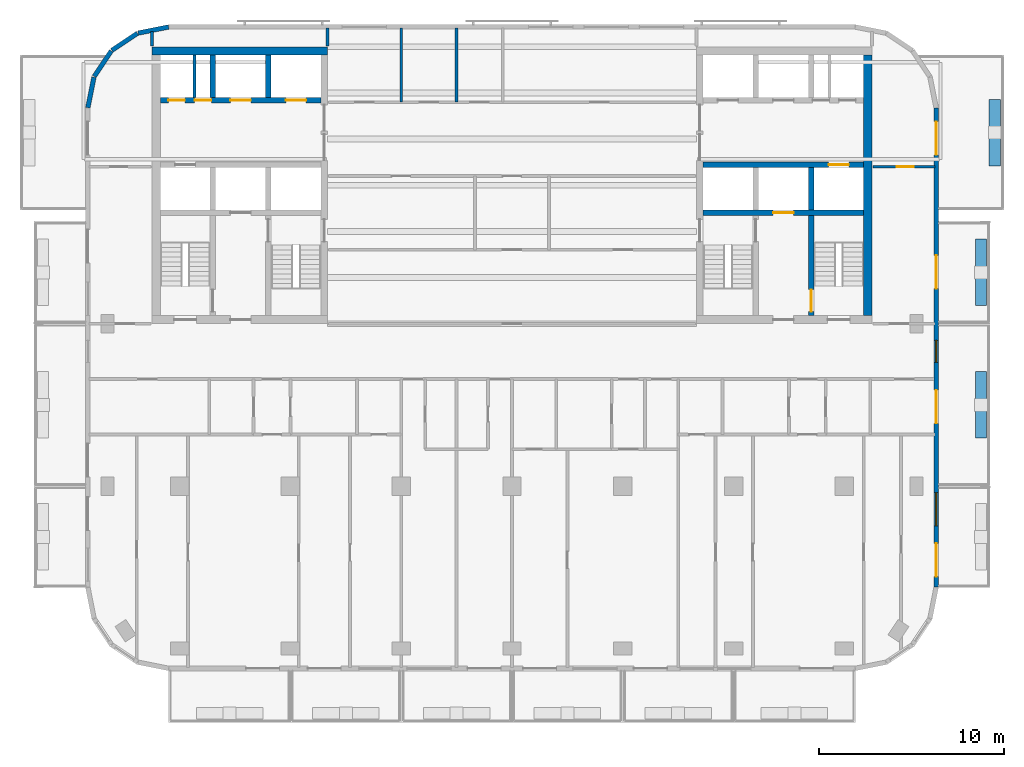
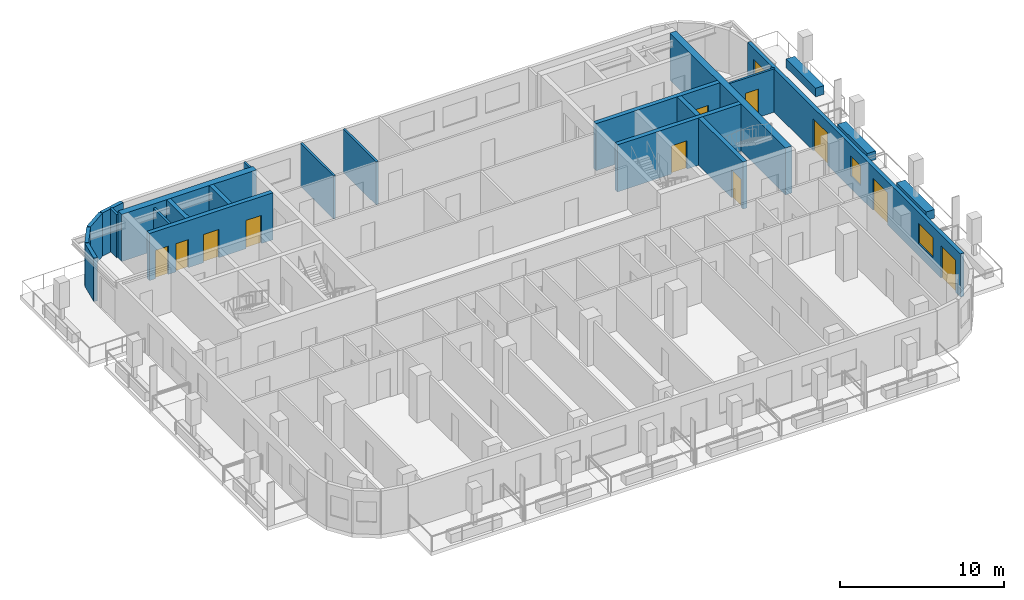
# One storey, part 6 of 11: 23 walls, 12 doors, 2 windows, 14 openings.
"""IFC4 building model written with IfcOpenShell, lengths in metres."""

from ifc_helpers import new_model, si_unit, direction, frame, frame_2d, origin, place, context, subcontext, project, spatial, rectangle, extrude, material, layer, layer_set, type_object, element, fill, save


model = new_model("IFC4")

# Units and contexts
model_context = context("Model", 3, precision=1e-05, world=origin(), true_north=direction((0.0, 1.0)))
body_context = subcontext(model_context, "Body", "Model", "MODEL_VIEW")
ifc_project = project(units=[si_unit("LENGTHUNIT", "METRE"), si_unit("AREAUNIT", "SQUARE_METRE"), si_unit("VOLUMEUNIT", "CUBIC_METRE"), si_unit("PLANEANGLEUNIT", "RADIAN"), si_unit("MASSUNIT", "GRAM", prefix="KILO")], contexts=[model_context])

# Site, building, storey
site_placement = place(None, origin())
site = spatial("IfcSite", under=ifc_project, at=site_placement, CompositionType="ELEMENT")
building_placement = place(site_placement, origin())
building = spatial("IfcBuilding", under=site, at=building_placement, Name="Torana Hotel and Residences", CompositionType="ELEMENT")
storey_placement = place(building_placement, frame((0.0, 0.0, 298.10009765625)))
storey = spatial("IfcBuildingStorey", under=building, at=storey_placement, Name="L79", CompositionType="ELEMENT", Elevation=298.10009765625)

# Wall, openings, doors
ifc_material_1 = material(Name="Concrete C60/75", Category="concrete")
ifc_layer_1 = layer(ifc_material_1, 0.300048828125)
ifc_layer_set_1 = layer_set([ifc_layer_1], Name="CORE WALL 300 C60/75")
wall_type_1 = type_object("IfcWallType", Name="CORE WALL 300 C60/75", PredefinedType="SHEAR", material=ifc_layer_set_1)
wall_1_placement = place(storey_placement, frame((-19.050048828125, -2.89990234375, 0.0), z_axis=(0.0, 0.0, 1.0), x_axis=(1.0, 0.0, 0.0)))
wall_1 = element("IfcWall", 1, at=wall_1_placement, inside=storey, type_object=wall_type_1, Name="Core wall W row-N", PredefinedType="SHEAR", context=body_context, shape_type="SweptSolid", body=[
    extrude(rectangle(XDim=8.699951171875, YDim=0.300048828125, at=frame_2d((4.35009765625, 0.0))), origin(), (0.0, 0.0, 1.0), 3.5),
])
opening_1_placement = place(wall_1_placement, frame((6.800048828125, 0.0, 0.0)))
opening_1 = element("IfcOpeningElement", 2, at=opening_1_placement, cuts=wall_1, Name="Opening LD", PredefinedType="OPENING", context=body_context, shape_type="SweptSolid", body=[
    extrude(rectangle(XDim=1.10009765625, YDim=2.10009765625, at=frame_2d((0.550048828125, 1.050048828125))), frame((0.0, 0.159912109375, 0.0), z_axis=(0.0, -1.0, 0.0), x_axis=(1.0, 0.0, 0.0)), (0.0, 0.0, 1.0), 0.320068359375),
])
opening_2_placement = place(wall_1_placement, frame((3.800048828125, 0.0, 0.0)))
opening_2 = element("IfcOpeningElement", 3, at=opening_2_placement, cuts=wall_1, Name="Opening LD", PredefinedType="OPENING", context=body_context, shape_type="SweptSolid", body=[
    extrude(rectangle(XDim=1.10009765625, YDim=2.10009765625, at=frame_2d((0.550048828125, 1.050048828125))), frame((0.0, 0.159912109375, 0.0), z_axis=(0.0, -1.0, 0.0), x_axis=(1.0, 0.0, 0.0)), (0.0, 0.0, 1.0), 0.320068359375),
])
opening_3_placement = place(wall_1_placement, frame((1.862548828125, 0.0, 0.0)))
opening_3 = element("IfcOpeningElement", 4, at=opening_3_placement, cuts=wall_1, Name="Opening L79-06", PredefinedType="OPENING", context=body_context, shape_type="SweptSolid", body=[
    extrude(rectangle(XDim=0.89990234375, YDim=2.10009765625, at=frame_2d((0.449951171875, 1.050048828125))), frame((0.0, 0.159912109375, 0.0), z_axis=(0.0, -1.0, 0.0), x_axis=(1.0, 0.0, 0.0)), (0.0, 0.0, 1.0), 0.320068359375),
])
opening_4_placement = place(wall_1_placement, frame((0.4375, 0.0, 0.0)))
opening_4 = element("IfcOpeningElement", 5, at=opening_4_placement, cuts=wall_1, Name="Opening L79-07", PredefinedType="OPENING", context=body_context, shape_type="SweptSolid", body=[
    extrude(rectangle(XDim=0.89990234375, YDim=2.10009765625, at=frame_2d((0.449951171875, 1.050048828125))), frame((0.0, 0.159912109375, 0.0), z_axis=(0.0, -1.0, 0.0), x_axis=(1.0, 0.0, 0.0)), (0.0, 0.0, 1.0), 0.320068359375),
])
ifc_material_2 = material(Name="Stainless steel 316", Category="steel")
door_type_1 = type_object("IfcDoorType", Name="LIFT LANDING DOOR LD 1100x2100", OperationType="DOUBLE_DOOR_SLIDING", PredefinedType="USERDEFINED", material=ifc_material_2)
door_1_placement = place(opening_1_placement, origin())
door_1 = element("IfcDoor", 6, at=door_1_placement, inside=storey, type_object=door_type_1, Name="Lift landing door H1 L79", ObjectType="LIFT LANDING DOOR", OperationType="DOUBLE_DOOR_SLIDING", OverallHeight=2.10009765625, OverallWidth=1.10009765625, PredefinedType="USERDEFINED", context=body_context, shape_type="SweptSolid", body=[
    extrude(rectangle(XDim=1.10009765625, YDim=2.10009765625, at=frame_2d((0.550048828125, 1.050048828125))), frame((0.0, 0.02490234375, 0.0), z_axis=(0.0, -1.0, 0.0), x_axis=(1.0, 0.0, 0.0)), (0.0, 0.0, 1.0), 0.050048828125),
])
fill(opening_1, door_1)
door_2_placement = place(opening_2_placement, origin())
door_2 = element("IfcDoor", 7, at=door_2_placement, inside=storey, type_object=door_type_1, Name="Lift landing door H2 L79", ObjectType="LIFT LANDING DOOR", OperationType="DOUBLE_DOOR_SLIDING", OverallHeight=2.10009765625, OverallWidth=1.10009765625, PredefinedType="USERDEFINED", context=body_context, shape_type="SweptSolid", body=[
    extrude(rectangle(XDim=1.10009765625, YDim=2.10009765625, at=frame_2d((0.550048828125, 1.050048828125))), frame((0.0, 0.02490234375, 0.0), z_axis=(0.0, -1.0, 0.0), x_axis=(1.0, 0.0, 0.0)), (0.0, 0.0, 1.0), 0.050048828125),
])
fill(opening_2, door_2)
ifc_material_3 = material(Name="Steel S235", Category="steel")
door_type_2 = type_object("IfcDoorType", Name="RISER ACCESS DOOR D5 900x2100", OperationType="SINGLE_SWING_LEFT", PredefinedType="DOOR", material=ifc_material_3)
door_3_placement = place(opening_3_placement, origin())
door_3 = element("IfcDoor", 8, at=door_3_placement, inside=storey, type_object=door_type_2, Name="N2A door L79", OperationType="SINGLE_SWING_LEFT", OverallHeight=2.10009765625, OverallWidth=0.89990234375, PredefinedType="DOOR", context=body_context, shape_type="SweptSolid", body=[
    extrude(rectangle(XDim=0.89990234375, YDim=2.10009765625, at=frame_2d((0.449951171875, 1.050048828125))), frame((0.0, 0.02490234375, 0.0), z_axis=(0.0, -1.0, 0.0), x_axis=(1.0, 0.0, 0.0)), (0.0, 0.0, 1.0), 0.050048828125),
])
fill(opening_3, door_3)
door_4_placement = place(opening_4_placement, origin())
door_4 = element("IfcDoor", 9, at=door_4_placement, inside=storey, type_object=door_type_2, Name="N2B door L79", OperationType="SINGLE_SWING_RIGHT", OverallHeight=2.10009765625, OverallWidth=0.89990234375, PredefinedType="DOOR", context=body_context, shape_type="SweptSolid", body=[
    extrude(rectangle(XDim=0.89990234375, YDim=2.10009765625, at=frame_2d((0.449951171875, 1.050048828125))), frame((0.0, 0.02490234375, 0.0), z_axis=(0.0, -1.0, 0.0), x_axis=(1.0, 0.0, 0.0)), (0.0, 0.0, 1.0), 0.050048828125),
])
fill(opening_4, door_4)

# Walls
for number, where, z_axis, x_axis, name in (
    (10, (-13.199951171875, -2.75, 0.0), (0.0, 0.0, 1.0), (0.0, 1.0, 0.0), "Core wall W x3.05-N"),
    (11, (-16.199951171875, -2.75, 0.0), (0.0, 0.0, 1.0), (0.0, 1.0, 0.0), "Core wall W x6.05-N"),
):
    element("IfcWall", number, at=place(storey_placement, frame(where, z_axis=z_axis, x_axis=x_axis)), inside=storey, type_object=wall_type_1, Name=name, PredefinedType="SHEAR", context=body_context, shape_type="SweptSolid", body=[
        extrude(rectangle(XDim=2.300048828125, YDim=0.300048828125, at=frame_2d((1.14990234375, 0.0))), origin(), (0.0, 0.0, 1.0), 3.5),
    ])

# Wall, opening, door
wall_2_placement = place(storey_placement, frame((10.35009765625, -6.39990234375, 0.0), z_axis=(0.0, 0.0, 1.0), x_axis=(1.0, 0.0, 0.0)))
wall_2 = element("IfcWall", 12, at=wall_2_placement, inside=storey, type_object=wall_type_1, Name="Core wall E row-S", PredefinedType="SHEAR", context=body_context, shape_type="SweptSolid", body=[
    extrude(rectangle(XDim=8.699951171875, YDim=0.300048828125, at=frame_2d((4.35009765625, 0.0))), origin(), (0.0, 0.0, 1.0), 3.5),
])
opening_5_placement = place(wall_2_placement, frame((6.800048828125, 0.0, 0.0)))
opening_5 = element("IfcOpeningElement", 13, at=opening_5_placement, cuts=wall_2, Name="Opening LD", PredefinedType="OPENING", context=body_context, shape_type="SweptSolid", body=[
    extrude(rectangle(XDim=1.10009765625, YDim=2.10009765625, at=frame_2d((0.550048828125, 1.050048828125))), frame((0.0, 0.159912109375, 0.0), z_axis=(0.0, -1.0, 0.0), x_axis=(1.0, 0.0, 0.0)), (0.0, 0.0, 1.0), 0.320068359375),
])
door_5_placement = place(opening_5_placement, origin())
door_5 = element("IfcDoor", 14, at=door_5_placement, inside=storey, type_object=door_type_1, Name="Lift landing door SV2 L79", ObjectType="LIFT LANDING DOOR", OperationType="DOUBLE_DOOR_SLIDING", OverallHeight=2.10009765625, OverallWidth=1.10009765625, PredefinedType="USERDEFINED", context=body_context, shape_type="SweptSolid", body=[
    extrude(rectangle(XDim=1.10009765625, YDim=2.10009765625, at=frame_2d((0.550048828125, 1.050048828125))), frame((0.0, 0.02490234375, 0.0), z_axis=(0.0, -1.0, 0.0), x_axis=(1.0, 0.0, 0.0)), (0.0, 0.0, 1.0), 0.050048828125),
])
fill(opening_5, door_5)

wall_3_placement = place(storey_placement, frame((10.35009765625, -9.0, 0.0), z_axis=(0.0, 0.0, 1.0), x_axis=(1.0, 0.0, 0.0)))
wall_3 = element("IfcWall", 15, at=wall_3_placement, inside=storey, type_object=wall_type_1, Name="Core wall E band", PredefinedType="SHEAR", context=body_context, shape_type="SweptSolid", body=[
    extrude(rectangle(XDim=8.699951171875, YDim=0.300048828125, at=frame_2d((4.35009765625, 0.0))), origin(), (0.0, 0.0, 1.0), 3.5),
])
opening_6_placement = place(wall_3_placement, frame((3.800048828125, 0.0, 0.0)))
opening_6 = element("IfcOpeningElement", 16, at=opening_6_placement, cuts=wall_3, Name="Opening LD", PredefinedType="OPENING", context=body_context, shape_type="SweptSolid", body=[
    extrude(rectangle(XDim=1.10009765625, YDim=2.10009765625, at=frame_2d((0.550048828125, 1.050048828125))), frame((0.0, 0.159912109375, 0.0), z_axis=(0.0, -1.0, 0.0), x_axis=(1.0, 0.0, 0.0)), (0.0, 0.0, 1.0), 0.320068359375),
])
door_6_placement = place(opening_6_placement, origin())
door_6 = element("IfcDoor", 17, at=door_6_placement, inside=storey, type_object=door_type_1, Name="Lift landing door FF2 L79", ObjectType="LIFT LANDING DOOR", OperationType="DOUBLE_DOOR_SLIDING", OverallHeight=2.10009765625, OverallWidth=1.10009765625, PredefinedType="USERDEFINED", context=body_context, shape_type="SweptSolid", body=[
    extrude(rectangle(XDim=1.10009765625, YDim=2.10009765625, at=frame_2d((0.550048828125, 1.050048828125))), frame((0.0, 0.02490234375, 0.0), z_axis=(0.0, -1.0, 0.0), x_axis=(1.0, 0.0, 0.0)), (0.0, 0.0, 1.0), 0.050048828125),
])
fill(opening_6, door_6)

# Wall
wall_4_placement = place(storey_placement, frame((16.199951171875, -8.85009765625, 0.0), z_axis=(0.0, 0.0, 1.0), x_axis=(0.0, 1.0, 0.0)))
element("IfcWall", 18, at=wall_4_placement, inside=storey, type_object=wall_type_1, Name="Core wall E x6.05-S", PredefinedType="SHEAR", context=body_context, shape_type="SweptSolid", body=[
    extrude(rectangle(XDim=2.300048828125, YDim=0.300048828125, at=frame_2d((1.14990234375, 0.0))), origin(), (0.0, 0.0, 1.0), 3.5),
])

# Wall, opening, door
wall_5_placement = place(storey_placement, frame((16.199951171875, -14.550048828125, 0.0), z_axis=(0.0, 0.0, 1.0), x_axis=(0.0, 1.0, 0.0)))
wall_5 = element("IfcWall", 19, at=wall_5_placement, inside=storey, type_object=wall_type_1, Name="Core wall E x6.05-band", PredefinedType="SHEAR", context=body_context, shape_type="SweptSolid", body=[
    extrude(rectangle(XDim=5.400146484375, YDim=0.300048828125, at=frame_2d((2.7001953125, 0.0))), origin(), (0.0, 0.0, 1.0), 3.5),
])
opening_7_placement = place(wall_5_placement, frame((0.199951171875, 0.0, 0.0)))
opening_7 = element("IfcOpeningElement", 20, at=opening_7_placement, cuts=wall_5, Name="Opening L79-18", PredefinedType="OPENING", context=body_context, shape_type="SweptSolid", body=[
    extrude(rectangle(XDim=1.199951171875, YDim=2.10009765625, at=frame_2d((0.60009765625, 1.050048828125))), frame((0.0, 0.159912109375, 0.0), z_axis=(0.0, -1.0, 0.0), x_axis=(1.0, 0.0, 0.0)), (0.0, 0.0, 1.0), 0.320068359375),
])
ifc_material_4 = material(Name="Steel S235", Category="steel")
door_type_3 = type_object("IfcDoorType", Name="STAIR FIRE DOOR D3 1200x2100", OperationType="SINGLE_SWING_LEFT", PredefinedType="DOOR", material=ifc_material_4)
door_7_placement = place(opening_7_placement, frame((0.60009765625, 0.0, 0.0), z_axis=(0.0, 0.0, 1.0), x_axis=(-1.0, 0.0, 0.0)))
door_7 = element("IfcDoor", 21, at=door_7_placement, inside=storey, type_object=door_type_3, Name="Stair-B-lobby door L79", OperationType="SINGLE_SWING_LEFT", OverallHeight=2.10009765625, OverallWidth=1.199951171875, PredefinedType="DOOR", context=body_context, shape_type="SweptSolid", body=[
    extrude(rectangle(XDim=1.199951171875, YDim=2.10009765625, at=frame_2d((0.0, 1.050048828125))), frame((0.0, -0.02490234375, 0.0), z_axis=(0.0, 1.0, 0.0), x_axis=(-1.0, 0.0, 0.0)), (0.0, 0.0, 1.0), 0.050048828125),
])
fill(opening_7, door_7)

# Walls
ifc_material_5 = material(Name="Concrete C60/75", Category="concrete")
ifc_layer_2 = layer(ifc_material_5, 0.449951171875)
ifc_layer_set_2 = layer_set([ifc_layer_2], Name="CORE WALL 450 C60/75")
wall_type_2 = type_object("IfcWallType", Name="CORE WALL 450 C60/75", PredefinedType="SHEAR", material=ifc_layer_set_2)
wall_6_placement = place(storey_placement, frame((-19.5, -0.22509765625, 0.0), z_axis=(0.0, 0.0, 1.0), x_axis=(1.0, 0.0, 0.0)))
element("IfcWall", 22, at=wall_6_placement, inside=storey, type_object=wall_type_2, Name="Core wall W rear", PredefinedType="SHEAR", context=body_context, shape_type="SweptSolid", body=[
    extrude(rectangle(XDim=9.5, YDim=0.449951171875, at=frame_2d((4.75, 0.0))), origin(), (0.0, 0.0, 1.0), 3.5),
])
wall_7_placement = place(storey_placement, frame((19.27490234375, -14.550048828125, 0.0), z_axis=(0.0, 0.0, 1.0), x_axis=(0.0, 1.0, 0.0)))
element("IfcWall", 23, at=wall_7_placement, inside=storey, type_object=wall_type_2, Name="Core wall E outer", PredefinedType="SHEAR", context=body_context, shape_type="SweptSolid", body=[
    extrude(rectangle(XDim=14.10009765625, YDim=0.449951171875, at=frame_2d((7.050048828125, 0.0))), origin(), (0.0, 0.0, 1.0), 3.5),
])
ifc_material_6 = material(Name="Black aluminium composite panel", Category="aluminium")
ifc_layer_3 = layer(ifc_material_6, 0.00390625, Name="Cladding", Category="cladding")
ifc_material_7 = material(Name="Ventilated air cavity")
ifc_layer_4 = layer(ifc_material_7, 0.0400390625, Name="Ventilated cavity", Category="cavity")
ifc_material_8 = material(Name="Mineral wool insulation")
ifc_layer_5 = layer(ifc_material_8, 0.090087890625, Name="Insulation", Category="insulation")
ifc_material_9 = material(Name="Steel S280GD", Category="steel")
ifc_layer_6 = layer(ifc_material_9, 0.092041015625, Name="Steel stud frame", Category="structure")
ifc_material_10 = material(Name="Fire rated plasterboard")
ifc_layer_7 = layer(ifc_material_10, 0.011962890625, Name="Inner board", Category="finish")
ifc_layer_8 = layer(ifc_material_10, 0.011962890625, Name="Second board", Category="finish")
ifc_layer_set_3 = layer_set([ifc_layer_3, ifc_layer_4, ifc_layer_5, ifc_layer_6, ifc_layer_7, ifc_layer_8], Name="EW1 EXTERNAL WALL BLACK METAL CLAD 250")
wall_type_3 = type_object("IfcWallType", Name="EW1 EXTERNAL WALL BLACK METAL CLAD 250", PredefinedType="SOLIDWALL", material=ifc_layer_set_3)
wall_8_placement = place(storey_placement, frame((-18.599853515625, 1.072509765625, 0.0), z_axis=(0.0, 0.0, 1.0), x_axis=(-0.980797896849, -0.195026884138, 0.0)))
element("IfcWall", 24, at=wall_8_placement, inside=storey, type_object=wall_type_3, Name="External wall L79 e0.5", PredefinedType="SOLIDWALL", context=body_context, shape_type="SweptSolid", body=[
    extrude(rectangle(XDim=1.68115234375, YDim=0.25, at=frame_2d((0.840576171875, 0.0))), origin(), (0.0, 0.0, 1.0), 3.219970703125),
])
for number, where, z_axis, x_axis, name in (
    (25, (-20.2939453125, 0.725830078125, 0.0), (0.0, 0.0, 1.0), (-0.831482937015, -0.55555029066, 0.0), "External wall L79 e0.6"),
    (26, (-21.705810546875, -0.228759765625, 0.0), (0.0, 0.0, 1.0), (-0.55555029066, -0.831482937015, 0.0), "External wall L79 e0.7"),
):
    element("IfcWall", number, at=place(storey_placement, frame(where, z_axis=z_axis, x_axis=x_axis)), inside=storey, type_object=wall_type_3, Name=name, PredefinedType="SOLIDWALL", context=body_context, shape_type="SweptSolid", body=[
        extrude(rectangle(XDim=1.65625, YDim=0.25, at=frame_2d((0.828125, 0.0))), origin(), (0.0, 0.0, 1.0), 3.219970703125),
    ])
wall_9_placement = place(storey_placement, frame((-22.64453125, -1.651123046875, 0.0), z_axis=(0.0, 0.0, 1.0), x_axis=(-0.19513878023, -0.980775640221, 0.0)))
element("IfcWall", 27, at=wall_9_placement, inside=storey, type_object=wall_type_3, Name="External wall L79 e0.8", PredefinedType="SOLIDWALL", context=body_context, shape_type="SweptSolid", body=[
    extrude(rectangle(XDim=1.681396484375, YDim=0.25, at=frame_2d((0.8408203125, 0.0))), origin(), (0.0, 0.0, 1.0), 3.219970703125),
])

# Wall, openings, doors, windows
wall_10_placement = place(storey_placement, frame((22.97509765625, -29.275390625, 0.0), z_axis=(0.0, 0.0, 1.0), x_axis=(0.0, 1.0, 0.0)))
wall_10 = element("IfcWall", 28, at=wall_10_placement, inside=storey, type_object=wall_type_3, Name="External wall L79 e0.19", PredefinedType="SOLIDWALL", context=body_context, shape_type="SweptSolid", body=[
    extrude(rectangle(XDim=25.95068359375, YDim=0.25, at=frame_2d((12.975341796875, 0.0))), origin(), (0.0, 0.0, 1.0), 3.219970703125),
])
opening_8_placement = place(wall_10_placement, frame((0.575439453125, 0.0, 0.0)))
opening_8 = element("IfcOpeningElement", 29, at=opening_8_placement, cuts=wall_10, Name="Opening L79-E07", PredefinedType="OPENING", context=body_context, shape_type="SweptSolid", body=[
    extrude(rectangle(XDim=1.800048828125, YDim=2.39990234375, at=frame_2d((0.89990234375, 1.199951171875))), frame((0.0, 0.135009765625, 0.0), z_axis=(0.0, -1.0, 0.0), x_axis=(1.0, 0.0, 0.0)), (0.0, 0.0, 1.0), 0.27001953125),
])
opening_9_placement = place(wall_10_placement, frame((3.325439453125, 0.0, 0.89990234375)))
opening_9 = element("IfcOpeningElement", 30, at=opening_9_placement, cuts=wall_10, Name="Opening W4", PredefinedType="OPENING", context=body_context, shape_type="SweptSolid", body=[
    extrude(rectangle(XDim=1.800048828125, YDim=1.5, at=frame_2d((0.89990234375, 0.75))), frame((0.0, 0.135009765625, 0.0), z_axis=(0.0, -1.0, 0.0), x_axis=(1.0, 0.0, 0.0)), (0.0, 0.0, 1.0), 0.27001953125),
])
opening_10_placement = place(wall_10_placement, frame((8.87548828125, 0.0, 0.0)))
opening_10 = element("IfcOpeningElement", 31, at=opening_10_placement, cuts=wall_10, Name="Opening L79-E08", PredefinedType="OPENING", context=body_context, shape_type="SweptSolid", body=[
    extrude(rectangle(XDim=1.800048828125, YDim=2.39990234375, at=frame_2d((0.89990234375, 1.199951171875))), frame((0.0, 0.135009765625, 0.0), z_axis=(0.0, -1.0, 0.0), x_axis=(1.0, 0.0, 0.0)), (0.0, 0.0, 1.0), 0.27001953125),
])
opening_11_placement = place(wall_10_placement, frame((12.17529296875, 0.0, 0.89990234375)))
opening_11 = element("IfcOpeningElement", 32, at=opening_11_placement, cuts=wall_10, Name="Opening W5", PredefinedType="OPENING", context=body_context, shape_type="SweptSolid", body=[
    extrude(rectangle(XDim=1.199951171875, YDim=1.5, at=frame_2d((0.60009765625, 0.75))), frame((0.0, 0.135009765625, 0.0), z_axis=(0.0, -1.0, 0.0), x_axis=(1.0, 0.0, 0.0)), (0.0, 0.0, 1.0), 0.27001953125),
])
opening_12_placement = place(wall_10_placement, frame((16.17529296875, 0.0, 0.0)))
opening_12 = element("IfcOpeningElement", 33, at=opening_12_placement, cuts=wall_10, Name="Opening L79-E09", PredefinedType="OPENING", context=body_context, shape_type="SweptSolid", body=[
    extrude(rectangle(XDim=1.800048828125, YDim=2.39990234375, at=frame_2d((0.89990234375, 1.199951171875))), frame((0.0, 0.135009765625, 0.0), z_axis=(0.0, -1.0, 0.0), x_axis=(1.0, 0.0, 0.0)), (0.0, 0.0, 1.0), 0.27001953125),
])
opening_13_placement = place(wall_10_placement, frame((23.42529296875, 0.0, 0.0)))
opening_13 = element("IfcOpeningElement", 34, at=opening_13_placement, cuts=wall_10, Name="Opening L79-E10", PredefinedType="OPENING", context=body_context, shape_type="SweptSolid", body=[
    extrude(rectangle(XDim=1.800048828125, YDim=2.39990234375, at=frame_2d((0.89990234375, 1.199951171875))), frame((0.0, 0.135009765625, 0.0), z_axis=(0.0, -1.0, 0.0), x_axis=(1.0, 0.0, 0.0)), (0.0, 0.0, 1.0), 0.27001953125),
])
ifc_material_11 = material(Name="Dark glass in black aluminium frame", Category="aluminium")
door_type_4 = type_object("IfcDoorType", Name="DB1 BALCONY DOOR 1800x2400", OperationType="DOUBLE_DOOR_SINGLE_SWING", PredefinedType="DOOR", material=ifc_material_11)
door_8_placement = place(opening_8_placement, origin())
door_8 = element("IfcDoor", 35, at=door_8_placement, inside=storey, type_object=door_type_4, Name="Balcony door L79", OperationType="DOUBLE_DOOR_SINGLE_SWING", OverallHeight=2.39990234375, OverallWidth=1.800048828125, PredefinedType="DOOR", context=body_context, shape_type="SweptSolid", body=[
    extrude(rectangle(XDim=1.800048828125, YDim=2.39990234375, at=frame_2d((0.89990234375, 1.199951171875))), frame((0.0, 0.02490234375, 0.0), z_axis=(0.0, -1.0, 0.0), x_axis=(1.0, 0.0, 0.0)), (0.0, 0.0, 1.0), 0.050048828125),
])
fill(opening_8, door_8)
door_9_placement = place(opening_10_placement, origin())
door_9 = element("IfcDoor", 36, at=door_9_placement, inside=storey, type_object=door_type_4, Name="Balcony door L79", OperationType="DOUBLE_DOOR_SINGLE_SWING", OverallHeight=2.39990234375, OverallWidth=1.800048828125, PredefinedType="DOOR", context=body_context, shape_type="SweptSolid", body=[
    extrude(rectangle(XDim=1.800048828125, YDim=2.39990234375, at=frame_2d((0.89990234375, 1.199951171875))), frame((0.0, 0.02490234375, 0.0), z_axis=(0.0, -1.0, 0.0), x_axis=(1.0, 0.0, 0.0)), (0.0, 0.0, 1.0), 0.050048828125),
])
fill(opening_10, door_9)
door_10_placement = place(opening_12_placement, origin())
door_10 = element("IfcDoor", 37, at=door_10_placement, inside=storey, type_object=door_type_4, Name="Balcony door L79", OperationType="DOUBLE_DOOR_SINGLE_SWING", OverallHeight=2.39990234375, OverallWidth=1.800048828125, PredefinedType="DOOR", context=body_context, shape_type="SweptSolid", body=[
    extrude(rectangle(XDim=1.800048828125, YDim=2.39990234375, at=frame_2d((0.89990234375, 1.199951171875))), frame((0.0, 0.02490234375, 0.0), z_axis=(0.0, -1.0, 0.0), x_axis=(1.0, 0.0, 0.0)), (0.0, 0.0, 1.0), 0.050048828125),
])
fill(opening_12, door_10)
door_11_placement = place(opening_13_placement, origin())
door_11 = element("IfcDoor", 38, at=door_11_placement, inside=storey, type_object=door_type_4, Name="Balcony door L79", OperationType="DOUBLE_DOOR_SINGLE_SWING", OverallHeight=2.39990234375, OverallWidth=1.800048828125, PredefinedType="DOOR", context=body_context, shape_type="SweptSolid", body=[
    extrude(rectangle(XDim=1.800048828125, YDim=2.39990234375, at=frame_2d((0.89990234375, 1.199951171875))), frame((0.0, 0.02490234375, 0.0), z_axis=(0.0, -1.0, 0.0), x_axis=(1.0, 0.0, 0.0)), (0.0, 0.0, 1.0), 0.050048828125),
])
fill(opening_13, door_11)
ifc_material_12 = material(Name="Dark glass in black aluminium frame", Category="aluminium")
window_type_1 = type_object("IfcWindowType", Name="W4 RESIDENCE WINDOW NARROW 1800x1500", PartitioningType="SINGLE_PANEL", PredefinedType="WINDOW", material=ifc_material_12)
window_1_placement = place(opening_9_placement, origin())
window_1 = element("IfcWindow", 39, at=window_1_placement, inside=storey, type_object=window_type_1, Name="Window L79", OverallHeight=1.5, OverallWidth=1.800048828125, PartitioningType="SINGLE_PANEL", PredefinedType="WINDOW", context=body_context, shape_type="SweptSolid", body=[
    extrude(rectangle(XDim=1.800048828125, YDim=1.5, at=frame_2d((0.89990234375, 0.75))), frame((0.0, 0.030029296875, 0.0), z_axis=(0.0, -1.0, 0.0), x_axis=(1.0, 0.0, 0.0)), (0.0, 0.0, 1.0), 0.06005859375),
])
fill(opening_9, window_1)
ifc_material_13 = material(Name="Dark glass in black aluminium frame", Category="aluminium")
window_type_2 = type_object("IfcWindowType", Name="W5 CORNER FACET WINDOW 1200x1500", PartitioningType="SINGLE_PANEL", PredefinedType="WINDOW", material=ifc_material_13)
window_2_placement = place(opening_11_placement, origin())
window_2 = element("IfcWindow", 40, at=window_2_placement, inside=storey, type_object=window_type_2, Name="Window L79", OverallHeight=1.5, OverallWidth=1.199951171875, PartitioningType="SINGLE_PANEL", PredefinedType="WINDOW", context=body_context, shape_type="SweptSolid", body=[
    extrude(rectangle(XDim=1.199951171875, YDim=1.5, at=frame_2d((0.60009765625, 0.75))), frame((0.0, 0.030029296875, 0.0), z_axis=(0.0, -1.0, 0.0), x_axis=(1.0, 0.0, 0.0)), (0.0, 0.0, 1.0), 0.06005859375),
])
fill(opening_11, window_2)

# Walls
ifc_material_14 = material(Name="Gypsum plaster")
ifc_layer_9 = layer(ifc_material_14, 0.014892578125, Name="Plaster", Category="finish")
ifc_material_15 = material(Name="Concrete blockwork", Category="masonry")
ifc_layer_10 = layer(ifc_material_15, 0.1201171875, Name="Blockwork", Category="structure")
ifc_layer_11 = layer(ifc_material_14, 0.014892578125, Name="Plaster", Category="finish")
ifc_layer_set_4 = layer_set([ifc_layer_9, ifc_layer_10, ifc_layer_11], Name="FIRE PARTITION 150 BLOCKWORK")
wall_type_4 = type_object("IfcWallType", Name="FIRE PARTITION 150 BLOCKWORK", PredefinedType="PARTITIONING", material=ifc_layer_set_4)
wall_11_placement = place(storey_placement, frame((-17.199951171875, -2.75, 0.0), z_axis=(0.0, 0.0, 1.0), x_axis=(0.0, 1.0, 0.0)))
element("IfcWall", 41, at=wall_11_placement, inside=storey, type_object=wall_type_4, Name="Core partition L79", PredefinedType="PARTITIONING", context=body_context, shape_type="SweptSolid", body=[
    extrude(rectangle(XDim=2.300048828125, YDim=0.14990234375, at=frame_2d((1.14990234375, 0.0))), origin(), (0.0, 0.0, 1.0), 3.199951171875),
])
ifc_material_16 = material(Name="Gypsum plasterboard")
ifc_layer_12 = layer(ifc_material_16, 0.012451171875, Name="Plasterboard", Category="finish")
ifc_layer_13 = layer(ifc_material_16, 0.012451171875, Name="Plasterboard", Category="finish")
ifc_layer_14 = layer(ifc_material_9, 0.10009765625, Name="Steel studs with mineral wool", Category="insulation")
ifc_layer_15 = layer(ifc_material_16, 0.012451171875, Name="Plasterboard", Category="finish")
ifc_layer_16 = layer(ifc_material_16, 0.012451171875, Name="Plasterboard", Category="finish")
ifc_layer_set_5 = layer_set([ifc_layer_12, ifc_layer_13, ifc_layer_14, ifc_layer_15, ifc_layer_16], Name="PARTITION 150 PLASTERBOARD")
wall_type_5 = type_object("IfcWallType", Name="PARTITION 150 PLASTERBOARD", PredefinedType="PARTITIONING", material=ifc_layer_set_5)
wall_12_placement = place(storey_placement, frame((-10.0, 0.050048828125, 0.0), z_axis=(0.0, 0.0, 1.0), x_axis=(0.0, 1.0, 0.0)))
element("IfcWall", 42, at=wall_12_placement, inside=storey, type_object=wall_type_5, Name="Partition L79", PredefinedType="PARTITIONING", context=body_context, shape_type="SweptSolid", body=[
    extrude(rectangle(XDim=0.969970703125, YDim=0.14990234375, at=frame_2d((0.48486328125, 0.0))), origin(), (0.0, 0.0, 1.0), 3.219970703125),
])
wall_13_placement = place(storey_placement, frame((-19.5, 0.050048828125, 0.0), z_axis=(0.0, 0.0, 1.0), x_axis=(0.0, 1.0, 0.0)))
element("IfcWall", 43, at=wall_13_placement, inside=storey, type_object=wall_type_5, Name="Partition L79", PredefinedType="PARTITIONING", context=body_context, shape_type="SweptSolid", body=[
    extrude(rectangle(XDim=0.787353515625, YDim=0.14990234375, at=frame_2d((0.3935546875, 0.0))), origin(), (0.0, 0.0, 1.0), 3.219970703125),
])
ifc_material_17 = material(Name="Concrete C40/50 precast", Category="concrete")
ifc_layer_17 = layer(ifc_material_17, 0.10009765625, Name="Planter shell", Category="structure")
ifc_material_18 = material(Name="Root resistant membrane")
ifc_layer_18 = layer(ifc_material_18, 0.00390625, Name="Waterproofing membrane", Category="membrane")
ifc_material_19 = material(Name="Drainage board with filter fleece")
ifc_layer_19 = layer(ifc_material_19, 0.02001953125, Name="Drainage board", Category="drainage")
ifc_material_20 = material(Name="Growing medium")
ifc_layer_20 = layer(ifc_material_20, 0.47607421875, Name="Planting substrate", Category="soil")
ifc_layer_set_6 = layer_set([ifc_layer_17, ifc_layer_18, ifc_layer_19, ifc_layer_20], Name="PL1 BALCONY PLANTER 600")
wall_type_6 = type_object("IfcWallType", Name="PL1 BALCONY PLANTER 600", PredefinedType="USERDEFINED", material=ifc_layer_set_6)
for number, where, z_axis, x_axis, name in (
    (44, (25.39990234375, -17.60009765625, 0.0), (0.0, 0.0, 1.0), (0.0, -1.0, 0.0), "Planter 12"),
    (45, (25.39990234375, -10.425048828125, 0.0), (0.0, 0.0, 1.0), (0.0, -1.0, 0.0), "Planter 13"),
    (46, (26.14990234375, -2.85009765625, 0.0), (0.0, 0.0, 1.0), (0.0, -1.0, 0.0), "Planter 14"),
):
    element("IfcWall", number, at=place(storey_placement, frame(where, z_axis=z_axis, x_axis=x_axis)), inside=storey, type_object=wall_type_6, Name=name, ObjectType="PLANTER", PredefinedType="USERDEFINED", context=body_context, shape_type="SweptSolid", body=[
        extrude(rectangle(XDim=3.599853515625, YDim=0.60009765625, at=frame_2d((1.7998046875, 0.0))), origin(), (0.0, 0.0, 1.0), 0.64990234375),
    ])
ifc_material_21 = material(Name="Ceramic tile on adhesive")
ifc_layer_21 = layer(ifc_material_21, 0.010009765625, Name="Wall tile", Category="finish")
ifc_material_22 = material(Name="Cement render")
ifc_layer_22 = layer(ifc_material_22, 0.010009765625, Name="Render", Category="finish")
ifc_layer_23 = layer(ifc_material_15, 0.110107421875, Name="Blockwork", Category="structure")
ifc_layer_24 = layer(ifc_material_22, 0.010009765625, Name="Render", Category="finish")
ifc_layer_25 = layer(ifc_material_21, 0.010009765625, Name="Wall tile", Category="finish")
ifc_layer_set_7 = layer_set([ifc_layer_21, ifc_layer_22, ifc_layer_23, ifc_layer_24, ifc_layer_25], Name="WC PARTITION 150")
wall_type_7 = type_object("IfcWallType", Name="WC PARTITION 150", PredefinedType="PLUMBINGWALL", material=ifc_layer_set_7)
for number, where, z_axis, x_axis, name in (
    (47, (-3.0, -3.0, 0.0), (0.0, 0.0, 1.0), (0.0, 1.0, 0.0), "Partition L79"),
    (48, (-6.0, -3.0, 0.0), (0.0, 0.0, 1.0), (0.0, 1.0, 0.0), "Partition L79"),
):
    element("IfcWall", number, at=place(storey_placement, frame(where, z_axis=z_axis, x_axis=x_axis)), inside=storey, type_object=wall_type_7, Name=name, PredefinedType="PLUMBINGWALL", context=body_context, shape_type="SweptSolid", body=[
        extrude(rectangle(XDim=4.02001953125, YDim=0.14990234375, at=frame_2d((2.010009765625, 0.0))), origin(), (0.0, 0.0, 1.0), 3.219970703125),
    ])

# Wall, opening, door
wall_14_placement = place(storey_placement, frame((19.550048828125, -6.5, 0.0), z_axis=(0.0, 0.0, 1.0), x_axis=(1.0, 0.0, 0.0)))
wall_14 = element("IfcWall", 49, at=wall_14_placement, inside=storey, type_object=wall_type_7, Name="Partition L79", PredefinedType="PLUMBINGWALL", context=body_context, shape_type="SweptSolid", body=[
    extrude(rectangle(XDim=3.369873046875, YDim=0.14990234375, at=frame_2d((1.68505859375, 0.0))), origin(), (0.0, 0.0, 1.0), 3.219970703125),
])
opening_14_placement = place(wall_14_placement, frame((1.300048828125, 0.0, 0.0)))
opening_14 = element("IfcOpeningElement", 50, at=opening_14_placement, cuts=wall_14, Name="Opening L79-61", PredefinedType="OPENING", context=body_context, shape_type="SweptSolid", body=[
    extrude(rectangle(XDim=0.89990234375, YDim=2.10009765625, at=frame_2d((0.449951171875, 1.050048828125))), frame((0.0, 0.0849609375, 0.0), z_axis=(0.0, -1.0, 0.0), x_axis=(1.0, 0.0, 0.0)), (0.0, 0.0, 1.0), 0.169921875),
])
ifc_material_23 = material(Name="Timber door, oiled ash", Category="wood")
door_type_5 = type_object("IfcDoorType", Name="ROOM DOOR D7 900x2100", OperationType="SINGLE_SWING_LEFT", PredefinedType="DOOR", material=ifc_material_23)
door_12_placement = place(opening_14_placement, origin())
door_12 = element("IfcDoor", 51, at=door_12_placement, inside=storey, type_object=door_type_5, Name="Door L79", OperationType="SINGLE_SWING_LEFT", OverallHeight=2.10009765625, OverallWidth=0.89990234375, PredefinedType="DOOR", context=body_context, shape_type="SweptSolid", body=[
    extrude(rectangle(XDim=0.89990234375, YDim=2.10009765625, at=frame_2d((0.449951171875, 1.050048828125))), frame((0.0, 0.02490234375, 0.0), z_axis=(0.0, -1.0, 0.0), x_axis=(1.0, 0.0, 0.0)), (0.0, 0.0, 1.0), 0.050048828125),
])
fill(opening_14, door_12)

save(model, "model.ifc")
